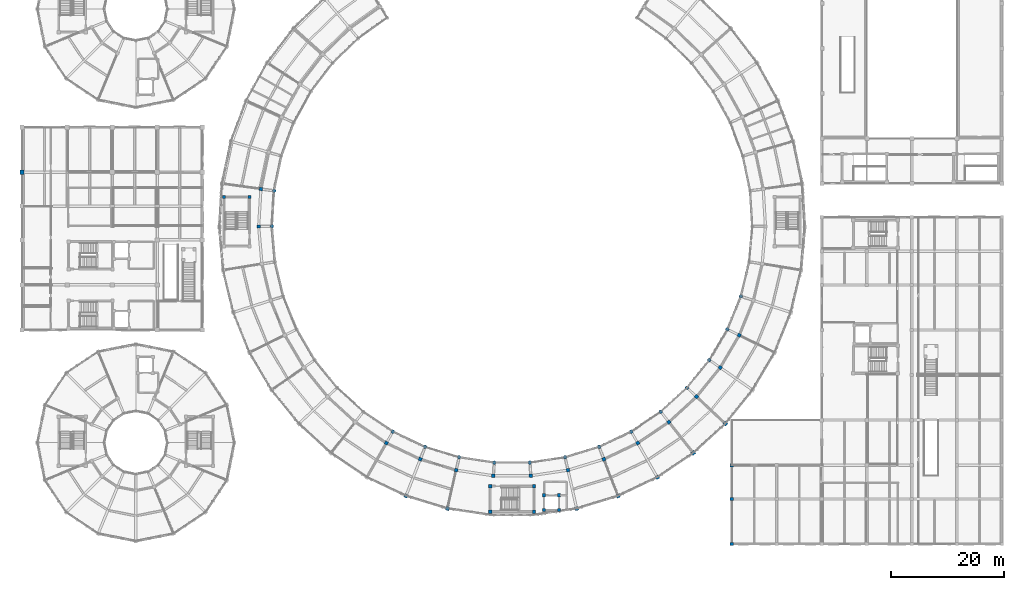
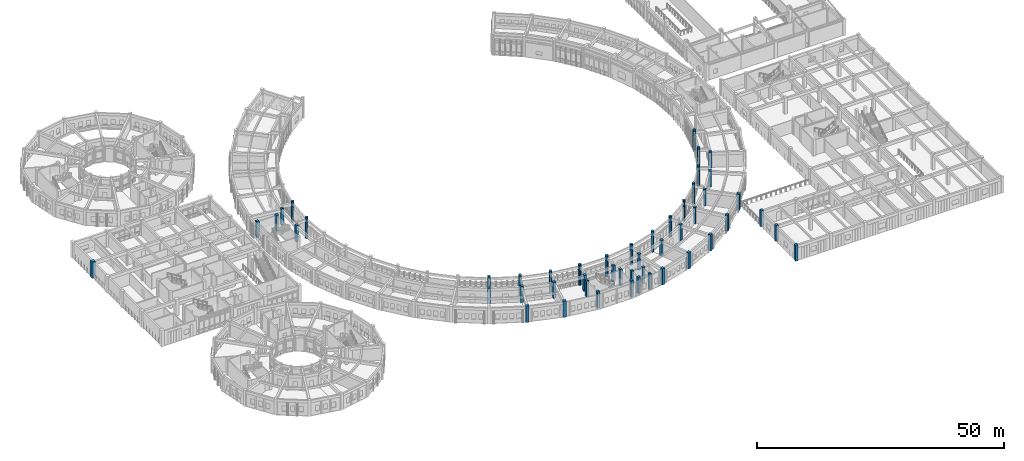
# One storey, part 4 of 159: 50 columns.
"""IFC4 building model written with IfcOpenShell, lengths in metres."""

import ifcopenshell
import ifcopenshell.guid

model = None  # the IFC model being written
_history = None  # IfcOwnerHistory: only IFC2X3 demands one
_inside = {}  # id of a spatial element -> (the spatial element, [elements in it])
_under = {}  # id of a project, library or spatial element -> (it, [spatial elements below it])
_declared = {}  # id of a project -> (the project, [libraries it declares])
_typed = {}  # id of a type object -> (the type object, [elements of that type])
_made_of = {}  # id of a material, layer set ... -> (it, [elements and type objects made of it])


def new_model(schema):
    """Start an empty IFC model of exactly this schema.

    Asked for "IFC4X3", IfcOpenShell would pick the latest addendum, in which some entities
    have other attributes; the version numbers below select the first issue.
    IFC2X3 requires an IfcOwnerHistory on every rooted entity: one is made here for all.
    """
    global model, _history
    if schema == "IFC4X3":
        model = ifcopenshell.file(schema_version=(4, 3, 0, 0))
    else:
        model = ifcopenshell.file(schema=schema)
    _inside.clear()
    _under.clear()
    _declared.clear()
    _typed.clear()
    _made_of.clear()
    _history = None
    if model.schema == "IFC2X3":
        org = make("IfcOrganization", Name="unknown")
        user = make(
            "IfcPersonAndOrganization",
            ThePerson=make("IfcPerson", FamilyName="unknown"),
            TheOrganization=org,
        )
        app = make(
            "IfcApplication",
            ApplicationDeveloper=org,
            Version="unknown",
            ApplicationFullName="unknown",
            ApplicationIdentifier="unknown",
        )
        _history = make(
            "IfcOwnerHistory",
            OwningUser=user,
            OwningApplication=app,
            ChangeAction="ADDED",
            CreationDate=0,
        )
    return model


def make(cls, **values):
    """One entity of the class cls with the attributes given. An attribute that is None is left unset."""
    return model.create_entity(
        cls, **{name: value for name, value in values.items() if value is not None}
    )


def rooted(cls, **values):
    """An entity with a GlobalId (a new one), such as an element, a storey or a relation."""
    return make(cls, GlobalId=ifcopenshell.guid.new(), OwnerHistory=_history, **values)


def si_unit(unit_type, name, prefix=None):
    """IfcSIUnit, for example si_unit("LENGTHUNIT", "METRE", prefix="MILLI")."""
    return make("IfcSIUnit", UnitType=unit_type, Prefix=prefix, Name=name)


def assignment(units):
    """IfcUnitAssignment: the units of a project."""
    return None if units is None else make("IfcUnitAssignment", Units=units)


def point(xyz):
    """IfcCartesianPoint."""
    return None if xyz is None else make("IfcCartesianPoint", Coordinates=xyz)


def direction(xyz):
    """IfcDirection."""
    return None if xyz is None else make("IfcDirection", DirectionRatios=xyz)


def frame(location, z_axis=None, x_axis=None):
    """IfcAxis2Placement3D, a coordinate frame: its origin and axes. An axis left out is left unset."""
    return make(
        "IfcAxis2Placement3D",
        Location=point(location),
        Axis=direction(z_axis),
        RefDirection=direction(x_axis),
    )


def frame_2d(location, x_axis=None):
    """IfcAxis2Placement2D, a coordinate frame in the plane: its origin and x axis."""
    return make(
        "IfcAxis2Placement2D", Location=point(location), RefDirection=direction(x_axis)
    )


def origin():
    """The frame at (0, 0, 0) with its axes left unset."""
    return frame((0.0, 0.0, 0.0))


def origin_2d():
    """The frame at (0, 0) in the plane with its x axis left unset."""
    return frame_2d((0.0, 0.0))


def place(relative_to, where):
    """IfcLocalPlacement: puts the frame where relative to a parent placement (None: the world)."""
    return make(
        "IfcLocalPlacement", PlacementRelTo=relative_to, RelativePlacement=where
    )


def context(
    kind, dimensions, precision=None, world=None, true_north=None, identifier=None
):
    """IfcGeometricRepresentationContext, for example the 3D "Model" context."""
    return make(
        "IfcGeometricRepresentationContext",
        ContextIdentifier=identifier,
        ContextType=kind,
        CoordinateSpaceDimension=dimensions,
        Precision=precision,
        WorldCoordinateSystem=world,
        TrueNorth=true_north,
    )


def subcontext(parent, identifier, kind, view, scale=None):
    """IfcGeometricRepresentationSubContext, for example "Body" below "Model"."""
    return make(
        "IfcGeometricRepresentationSubContext",
        ContextIdentifier=identifier,
        ContextType=kind,
        ParentContext=parent,
        TargetScale=scale,
        TargetView=view,
    )


def project(units=None, contexts=None):
    """IfcProject with its units and contexts."""
    return rooted(
        "IfcProject",
        Name="project",
        RepresentationContexts=contexts,
        UnitsInContext=assignment(units),
    )


def spatial(cls, under=None, at=None, **own):
    """A site, building, storey or space (cls), placed at a placement, below another one or the project."""
    s = rooted(cls, ObjectPlacement=at, **own)
    if under is not None:
        _under.setdefault(under.id(), (under, []))[1].append(s)
    return s


def profile(cls, at=None, kind="AREA", **sizes):
    """A parametric profile (cls). Its sizes go by their IFC names, for example OverallWidth=200.0."""
    return make(cls, ProfileType=kind, Position=at, **sizes)


def rectangle(**sizes):
    """IfcRectangleProfileDef."""
    return profile("IfcRectangleProfileDef", **sizes)


def circle(**sizes):
    """IfcCircleProfileDef."""
    return profile("IfcCircleProfileDef", **sizes)


def extrude(swept, where, along, depth):
    """IfcExtrudedAreaSolid: the profile swept, set in the frame where, extruded along a direction by depth."""
    return make(
        "IfcExtrudedAreaSolid",
        SweptArea=swept,
        Position=where,
        ExtrudedDirection=direction(along),
        Depth=depth,
    )


def shape(context_of_items, identifier, shape_type, items):
    """IfcShapeRepresentation: the items that make up one representation, for example the "Body"."""
    return make(
        "IfcShapeRepresentation",
        ContextOfItems=context_of_items,
        RepresentationIdentifier=identifier,
        RepresentationType=shape_type,
        Items=items,
    )


def material(Name=None, Category=None):
    """IfcMaterial."""
    return make("IfcMaterial", Name=Name, Category=Category)


def material_profile(
    of_material, cross_section, Name=None, Category=None, Priority=None
):
    """IfcMaterialProfile: a cross section and its material."""
    return make(
        "IfcMaterialProfile",
        Name=Name,
        Material=of_material,
        Profile=cross_section,
        Priority=Priority,
        Category=Category,
    )


def profile_set(profiles, Name=None, composite=None):
    """IfcMaterialProfileSet."""
    return make(
        "IfcMaterialProfileSet",
        Name=Name,
        MaterialProfiles=profiles,
        CompositeProfile=composite,
    )


def made_of(thing, what):
    """Note that an element or type object is made of a material, layer set ...; save() writes the relation."""
    if what is not None:
        _made_of.setdefault(what.id(), (what, []))[1].append(thing)
    return thing


def type_object(cls, material=None, **own):
    """A type object (cls), such as IfcWallType, which elements share."""
    return made_of(rooted(cls, **own), material)


def element(
    cls,
    number,
    at=None,
    inside=None,
    cuts=None,
    type_object=None,
    material=None,
    context=None,
    identifier="Body",
    shape_type=None,
    held_by="IfcProductDefinitionShape",
    body=None,
    shapes=None,
    **own,
):
    """One element of the class cls, such as IfcWall. Its Tag is "e" and its number.

    at: its placement. inside: the storey or other place that contains it. cuts: it is an
    opening in that element (IfcRelVoidsElement). A single representation is given by context,
    identifier, shape_type and body (its items); several are given by shapes. held_by: the class
    of the entity that holds the representations. save() writes the other relations.
    """
    e = rooted(cls, Tag="e%d" % number, ObjectPlacement=at, **own)
    if body is not None:
        shapes = [shape(context, identifier, shape_type, body)]
    if shapes is not None:
        e.Representation = make(held_by, Representations=shapes)
    if inside is not None:
        _inside.setdefault(inside.id(), (inside, []))[1].append(e)
    if cuts is not None:
        rooted(
            "IfcRelVoidsElement", RelatingBuildingElement=cuts, RelatedOpeningElement=e
        )
    if type_object is not None:
        _typed.setdefault(type_object.id(), (type_object, []))[1].append(e)
    return made_of(e, material)


def aggregate(whole, parts):
    """IfcRelAggregates: a whole, such as a stair, and the parts it consists of."""
    return rooted("IfcRelAggregates", RelatingObject=whole, RelatedObjects=parts)


def save(model, path):
    """Write the relations noted so far, then the file.

    IfcRelAggregates (storeys below a building ...), IfcRelContainedInSpatialStructure (elements
    in a storey), IfcRelDefinesByType, IfcRelAssociatesMaterial and IfcRelDeclares: one each for
    every whole, place, type object, material and project.
    """
    for whole, parts in _under.values():
        aggregate(whole, parts)
    for where, things in _inside.values():
        rooted(
            "IfcRelContainedInSpatialStructure",
            RelatedElements=things,
            RelatingStructure=where,
        )
    for kind, things in _typed.values():
        rooted("IfcRelDefinesByType", RelatedObjects=things, RelatingType=kind)
    for what, things in _made_of.values():
        rooted("IfcRelAssociatesMaterial", RelatedObjects=things, RelatingMaterial=what)
    for by, libraries in _declared.values():
        rooted("IfcRelDeclares", RelatingContext=by, RelatedDefinitions=libraries)
    model.write(path)


model = new_model("IFC4")

# Units and contexts
model_context = context("Model", 3, precision=1e-05, world=origin(), true_north=direction((0.0, 1.0)))
body_context = subcontext(model_context, "Body", "Model", "MODEL_VIEW")
ifc_project = project(units=[si_unit("LENGTHUNIT", "METRE"), si_unit("AREAUNIT", "SQUARE_METRE"), si_unit("VOLUMEUNIT", "CUBIC_METRE"), si_unit("PLANEANGLEUNIT", "RADIAN"), si_unit("MASSUNIT", "GRAM", prefix="KILO")], contexts=[model_context])

# Site, building, storey
site_placement = place(None, origin())
site = spatial("IfcSite", under=ifc_project, at=site_placement, CompositionType="ELEMENT")
building_placement = place(site_placement, origin())
building = spatial("IfcBuilding", under=site, at=building_placement, Name="Celadon Cloister-Ring School", CompositionType="ELEMENT")
storey_placement = place(building_placement, frame((0.0, 0.0, 4.5)))
storey = spatial("IfcBuildingStorey", under=building, at=storey_placement, Name="L01", CompositionType="ELEMENT", Elevation=4.5)

# Columns
ifc_material_1 = material(Name="Concrete C40/50", Category="concrete")
ifc_material_profile_1 = material_profile(ifc_material_1, rectangle(XDim=0.75, YDim=0.75, at=origin_2d()), Name="RC750X750")
ifc_profile_set_1 = profile_set([ifc_material_profile_1], Name="Concrete C40/50")
column_type_1 = type_object("IfcColumnType", Name="CT-01", PredefinedType="COLUMN", material=ifc_profile_set_1)
column_placement = place(storey_placement, frame((0.0, 68.0, 0.0), z_axis=(0.0, 0.0, 1.0), x_axis=(1.0, 0.0, 0.0)))
element("IfcColumn", 1, at=column_placement, inside=storey, type_object=column_type_1, Name="Column 1083", PredefinedType="COLUMN", context=body_context, shape_type="SweptSolid", body=[
    extrude(rectangle(XDim=0.75, YDim=0.75, at=origin_2d()), origin(), (0.0, 0.0, 1.0), 4.0),
])
ifc_material_2 = material(Name="Concrete C40/50", Category="concrete")
ifc_material_profile_2 = material_profile(ifc_material_2, rectangle(XDim=0.60009765625, YDim=0.60009765625, at=origin_2d()), Name="RC600X600")
ifc_profile_set_2 = profile_set([ifc_material_profile_2], Name="Concrete C40/50")
column_type_2 = type_object("IfcColumnType", Name="CT-04", PredefinedType="COLUMN", material=ifc_profile_set_2)
for number, where, z_axis, x_axis, name in (
    (2, (83.10009765625, 7.75, 0.0), (0.0, 0.0, 1.0), (1.0, 0.0, 0.0), "Column 0018"),
    (3, (90.89990234375, 7.75, 0.0), (0.0, 0.0, 1.0), (1.0, 0.0, 0.0), "Column 0022"),
    (4, (90.89990234375, 12.27001953125, 0.0), (0.0, 0.0, 1.0), (1.0, 0.0, 0.0), "Column 0026"),
    (5, (83.10009765625, 12.27001953125, 0.0), (0.0, 0.0, 1.0), (1.0, 0.0, 0.0), "Column 0030"),
    (6, (40.3701171875, 63.6201171875, 0.0), (0.0, 0.0, 1.0), (1.0, 0.0, 0.0), "Column 0042"),
    (7, (35.85009765625, 63.6201171875, 0.0), (0.0, 0.0, 1.0), (1.0, 0.0, 0.0), "Column 0046"),
    (8, (42.406005859375, 65.031982421875, 0.0), (0.0, 0.0, 1.0), (-0.9909738433, 0.13405536877, 0.0), "Column 0421"),
    (9, (42.00390625, 58.3779296875, 0.0), (0.0, 0.0, 1.0), (-0.999904463751, -0.013822567474, 0.0), "Column 0425"),
    (10, (64.679931640625, 19.926025390625, 0.0), (0.0, 0.0, 1.0), (-0.496004347874, -0.868320037135, 0.0), "Column 0453"),
    (11, (70.697998046875, 17.056884765625, 0.0), (0.0, 0.0, 1.0), (-0.362275366705, -0.932071112458, 0.0), "Column 0457"),
    (12, (77.072998046875, 15.10888671875, 0.0), (0.0, 0.0, 1.0), (-0.220595296203, -0.975365426542, 0.0), "Column 0461"),
    (13, (83.6669921875, 14.1240234375, 0.0), (0.0, 0.0, 1.0), (-0.074073679552, -0.997252771366, 0.0), "Column 0465"),
    (14, (90.3330078125, 14.1240234375, 0.0), (0.0, 0.0, 1.0), (0.074073679552, -0.997252771366, 0.0), "Column 0469"),
    (15, (96.927001953125, 15.10888671875, 0.0), (0.0, 0.0, 1.0), (0.220595296203, -0.975365426542, 0.0), "Column 0473"),
    (16, (103.302001953125, 17.056884765625, 0.0), (0.0, 0.0, 1.0), (0.362275366705, -0.932071112458, 0.0), "Column 0477"),
    (17, (109.320068359375, 19.926025390625, 0.0), (0.0, 0.0, 1.0), (0.496004347874, -0.868320037135, 0.0), "Column 0481"),
    (18, (114.847900390625, 23.652099609375, 0.0), (0.0, 0.0, 1.0), (0.618847204173, -0.785511386224, 0.0), "Column 0485"),
    (19, (119.764892578125, 28.154052734375, 0.0), (0.0, 0.0, 1.0), (0.728107824814, -0.685462614185, 0.0), "Column 0489"),
    (20, (123.9619140625, 33.3330078125, 0.0), (0.0, 0.0, 1.0), (0.821388197028, -0.57036955545, 0.0), "Column 0493"),
    (21, (127.34912109375, 39.075927734375, 0.0), (0.0, 0.0, 1.0), (0.896641036785, -0.442758231039, 0.0), "Column 0497"),
    (22, (126.0, 10.0, 0.0), (0.0, 0.0, 1.0), (1.0, 0.0, 0.0), "Column 0908"),
    (23, (126.0, 16.0, 0.0), (0.0, 0.0, 1.0), (1.0, 0.0, 0.0), "Column 0910"),
    (24, (126.0, 2.0, 0.0), (0.0, 0.0, 1.0), (1.0, 0.0, 0.0), "Column 0912"),
):
    element("IfcColumn", number, at=place(storey_placement, frame(where, z_axis=z_axis, x_axis=x_axis)), inside=storey, type_object=column_type_2, Name=name, PredefinedType="COLUMN", context=body_context, shape_type="SweptSolid", body=[
        extrude(rectangle(XDim=0.60009765625, YDim=0.60009765625, at=origin_2d()), origin(), (0.0, 0.0, 1.0), 4.0),
    ])
ifc_material_3 = material(Name="Concrete C40/50", Category="concrete")
ifc_material_profile_3 = material_profile(ifc_material_3, rectangle(XDim=0.550048828125, YDim=0.550048828125, at=origin_2d()), Name="RC550X550")
ifc_profile_set_3 = profile_set([ifc_material_profile_3], Name="Concrete C40/50")
column_type_3 = type_object("IfcColumnType", Name="CT-05", PredefinedType="COLUMN", material=ifc_profile_set_3)
for number, where, z_axis, x_axis, name in (
    (25, (92.699951171875, 8.050048828125, 0.0), (0.0, 0.0, 1.0), (1.0, 0.0, 0.0), "Column 0261"),
    (26, (95.300048828125, 8.050048828125, 0.0), (0.0, 0.0, 1.0), (1.0, 0.0, 0.0), "Column 0265"),
    (27, (95.300048828125, 10.64990234375, 0.0), (0.0, 0.0, 1.0), (1.0, 0.0, 0.0), "Column 0269"),
    (28, (92.699951171875, 10.64990234375, 0.0), (0.0, 0.0, 1.0), (1.0, 0.0, 0.0), "Column 0273"),
):
    element("IfcColumn", number, at=place(storey_placement, frame(where, z_axis=z_axis, x_axis=x_axis)), inside=storey, type_object=column_type_3, Name=name, PredefinedType="COLUMN", context=body_context, shape_type="SweptSolid", body=[
        extrude(rectangle(XDim=0.550048828125, YDim=0.550048828125, at=origin_2d()), origin(), (0.0, 0.0, 1.0), 4.0),
    ])
ifc_material_4 = material(Name="Concrete C40/50", Category="concrete")
ifc_material_profile_4 = material_profile(ifc_material_4, rectangle(XDim=0.64990234375, YDim=0.64990234375, at=origin_2d()), Name="RC650X650")
ifc_profile_set_4 = profile_set([ifc_material_profile_4], Name="Concrete C40/50")
column_type_4 = type_object("IfcColumnType", Name="CT-22", PredefinedType="COLUMN", material=ifc_profile_set_4)
for number, where, z_axis, x_axis, name in (
    (29, (68.162109375, 10.531982421875, 0.0), (0.0, 0.0, 1.0), (-0.362275366705, -0.932071112458, 0.0), "Column 0601"),
    (30, (75.529052734375, 8.281005859375, 0.0), (0.0, 0.0, 1.0), (-0.220595296203, -0.975365426542, 0.0), "Column 0605"),
    (31, (98.470947265625, 8.281005859375, 0.0), (0.0, 0.0, 1.0), (0.220595296203, -0.975365426542, 0.0), "Column 0609"),
    (32, (105.837890625, 10.531982421875, 0.0), (0.0, 0.0, 1.0), (0.362275366705, -0.932071112458, 0.0), "Column 0613"),
    (33, (112.7919921875, 13.846923828125, 0.0), (0.0, 0.0, 1.0), (0.496004347874, -0.868320037135, 0.0), "Column 0617"),
    (34, (119.179931640625, 18.153076171875, 0.0), (0.0, 0.0, 1.0), (0.618847204173, -0.785511386224, 0.0), "Column 0621"),
    (35, (124.862060546875, 23.35595703125, 0.0), (0.0, 0.0, 1.0), (0.728107824814, -0.685462614185, 0.0), "Column 0625"),
):
    element("IfcColumn", number, at=place(storey_placement, frame(where, z_axis=z_axis, x_axis=x_axis)), inside=storey, type_object=column_type_4, Name=name, PredefinedType="COLUMN", context=body_context, shape_type="SweptSolid", body=[
        extrude(rectangle(XDim=0.64990234375, YDim=0.64990234375, at=origin_2d()), origin(), (0.0, 0.0, 1.0), 4.0),
    ])
ifc_material_5 = material(Name="Concrete C40/50", Category="concrete")
ifc_material_profile_5 = material_profile(ifc_material_5, circle(Radius=0.324951171875, at=origin_2d()), Name="CIRC650")
ifc_profile_set_5 = profile_set([ifc_material_profile_5], Name="Concrete C40/50")
column_type_5 = type_object("IfcColumnType", Name="CT-25", PredefinedType="COLUMN", material=ifc_profile_set_5)
for number, where, z_axis, x_axis, name in (
    (36, (44.735107421875, 64.717041015625, 0.0), (0.0, 0.0, 1.0), (1.0, 0.0, 0.0), "Column 0337"),
    (37, (44.35400390625, 58.409912109375, 0.0), (0.0, 0.0, 1.0), (1.0, 0.0, 0.0), "Column 0339"),
    (38, (65.844970703125, 21.966064453125, 0.0), (0.0, 0.0, 1.0), (1.0, 0.0, 0.0), "Column 0353"),
    (39, (71.549072265625, 19.2470703125, 0.0), (0.0, 0.0, 1.0), (1.0, 0.0, 0.0), "Column 0355"),
    (40, (77.592041015625, 17.40087890625, 0.0), (0.0, 0.0, 1.0), (1.0, 0.0, 0.0), "Column 0357"),
    (41, (83.841064453125, 16.467041015625, 0.0), (0.0, 0.0, 1.0), (1.0, 0.0, 0.0), "Column 0359"),
    (42, (90.158935546875, 16.467041015625, 0.0), (0.0, 0.0, 1.0), (1.0, 0.0, 0.0), "Column 0361"),
    (43, (96.407958984375, 17.40087890625, 0.0), (0.0, 0.0, 1.0), (1.0, 0.0, 0.0), "Column 0363"),
    (44, (102.450927734375, 19.2470703125, 0.0), (0.0, 0.0, 1.0), (1.0, 0.0, 0.0), "Column 0365"),
    (45, (108.155029296875, 21.966064453125, 0.0), (0.0, 0.0, 1.0), (1.0, 0.0, 0.0), "Column 0367"),
    (46, (113.39404296875, 25.498046875, 0.0), (0.0, 0.0, 1.0), (1.0, 0.0, 0.0), "Column 0369"),
    (47, (118.053955078125, 29.764892578125, 0.0), (0.0, 0.0, 1.0), (1.0, 0.0, 0.0), "Column 0371"),
    (48, (122.031982421875, 34.674072265625, 0.0), (0.0, 0.0, 1.0), (1.0, 0.0, 0.0), "Column 0373"),
    (49, (125.241943359375, 40.115966796875, 0.0), (0.0, 0.0, 1.0), (1.0, 0.0, 0.0), "Column 0375"),
    (50, (127.612060546875, 45.972900390625, 0.0), (0.0, 0.0, 1.0), (1.0, 0.0, 0.0), "Column 0377"),
):
    element("IfcColumn", number, at=place(storey_placement, frame(where, z_axis=z_axis, x_axis=x_axis)), inside=storey, type_object=column_type_5, Name=name, PredefinedType="COLUMN", context=body_context, shape_type="SweptSolid", body=[
        extrude(circle(Radius=0.324951171875, at=origin_2d()), origin(), (0.0, 0.0, 1.0), 5.1201171875),
    ])

save(model, "model.ifc")
